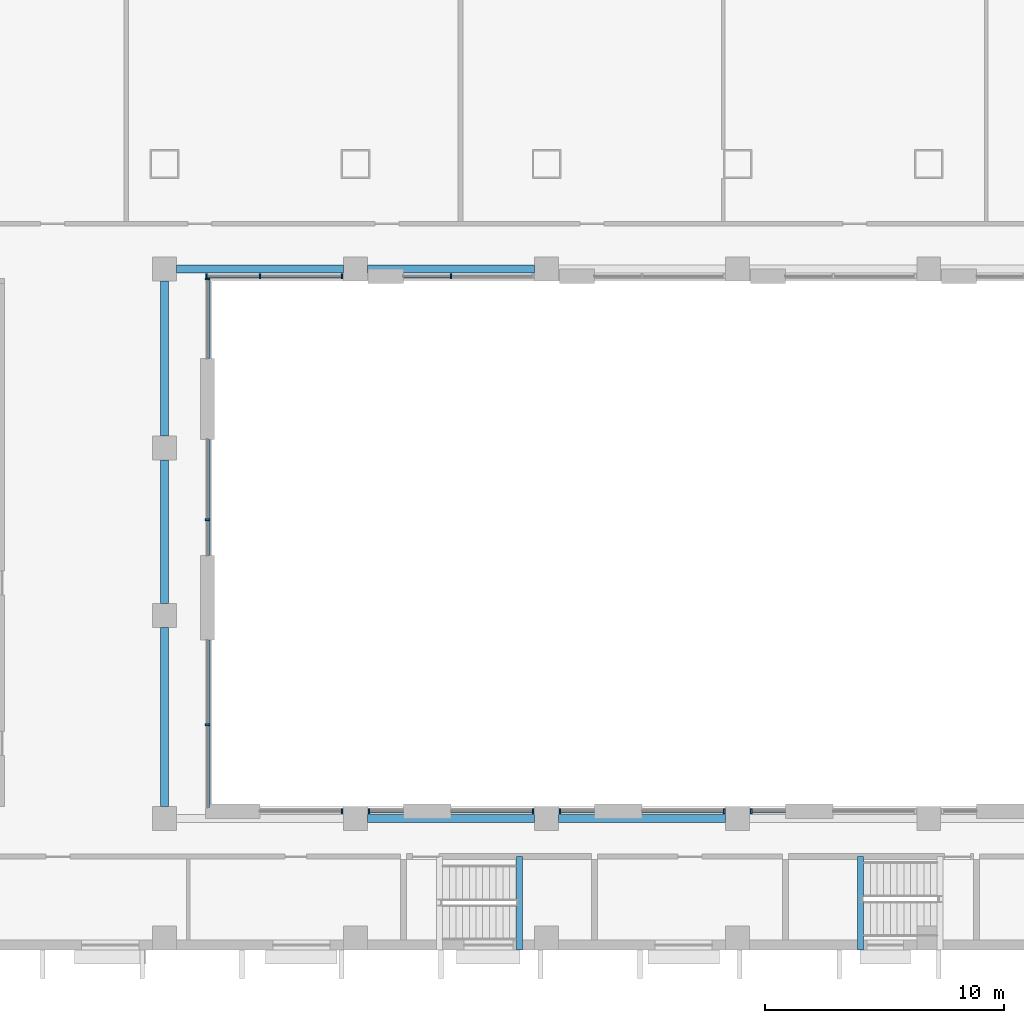
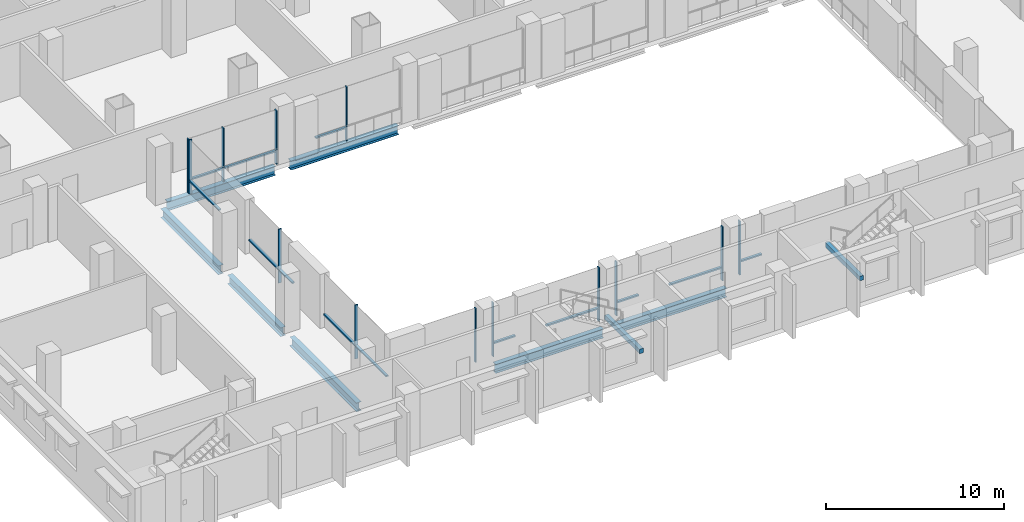
# One storey, part 2 of 25: 26 members, 9 beams, 11 elements without a shape of their own.
"""IFC4 building model written with IfcOpenShell, lengths in metres."""

from ifc_helpers import new_model, si_unit, direction, frame, origin, origin_2d, place, context, subcontext, project, spatial, rectangle, i_section, extrude, material, material_profile, profile_set, type_object, element, aggregate, save


model = new_model("IFC4")

# Units and contexts
model_context = context("Model", 3, precision=1e-05, world=origin(), true_north=direction((0.0, 1.0)))
body_context = subcontext(model_context, "Body", "Model", "MODEL_VIEW")
ifc_project = project(units=[si_unit("LENGTHUNIT", "METRE"), si_unit("AREAUNIT", "SQUARE_METRE"), si_unit("VOLUMEUNIT", "CUBIC_METRE"), si_unit("PLANEANGLEUNIT", "RADIAN"), si_unit("MASSUNIT", "GRAM", prefix="KILO")], contexts=[model_context])

# Site, building, storey
site_placement = place(None, origin())
site = spatial("IfcSite", under=ifc_project, at=site_placement, CompositionType="ELEMENT")
building_placement = place(site_placement, origin())
building = spatial("IfcBuilding", under=site, at=building_placement, Name="Vidyagriha Tower", CompositionType="ELEMENT")
storey_placement = place(building_placement, frame((0.0, 0.0, 18.0)))
storey = spatial("IfcBuildingStorey", under=building, at=storey_placement, Name="L04", CompositionType="ELEMENT", Elevation=18.0)

# Beams
ifc_material_1 = material(Name="Steel ASTM A992 Grade 50", Category="steel")
ifc_material_profile_1 = material_profile(ifc_material_1, i_section(OverallWidth=0.32373046875, OverallDepth=0.612060546875, WebThickness=0.0126953125, FlangeThickness=0.01904296875, at=origin_2d()), Name="W24X104")
ifc_profile_set_1 = profile_set([ifc_material_profile_1], Name="Steel ASTM A992 Grade 50")
beam_type_1 = type_object("IfcBeamType", Name="Atrium edge beam W24X104", PredefinedType="BEAM", material=ifc_profile_set_1)
for number, where, z_axis, x_axis, name in (
    (1, (-13.5, -44.5, -0.60595703125), (1.0, 0.0, 0.0), (0.0, 1.0, 0.0), "st-beam-L04-AT02"),
    (2, (-5.5, -44.5, -0.60595703125), (1.0, 0.0, 0.0), (0.0, 1.0, 0.0), "st-beam-L04-AT03"),
    (3, (-21.5, -21.5, -0.60595703125), (1.0, 0.0, 0.0), (0.0, 1.0, 0.0), "st-beam-L04-AT07"),
    (4, (-13.5, -21.5, -0.60595703125), (1.0, 0.0, 0.0), (0.0, 1.0, 0.0), "st-beam-L04-AT08"),
):
    element("IfcBeam", number, at=place(storey_placement, frame(where, z_axis=z_axis, x_axis=x_axis)), inside=storey, type_object=beam_type_1, Name=name, PredefinedType="BEAM", context=body_context, shape_type="SweptSolid", body=[
        extrude(i_section(OverallWidth=0.32373046875, OverallDepth=0.612060546875, WebThickness=0.0126953125, FlangeThickness=0.01904296875, at=origin_2d()), origin(), (0.0, 0.0, 1.0), 7.0),
    ])
beam_1_placement = place(storey_placement, frame((-22.0, -44.0, -0.60595703125), z_axis=(0.0, 1.0, 0.0), x_axis=(-1.0, 0.0, 0.0)))
element("IfcBeam", 5, at=beam_1_placement, inside=storey, type_object=beam_type_1, Name="st-beam-L04-AT13", PredefinedType="BEAM", context=body_context, shape_type="SweptSolid", body=[
    extrude(i_section(OverallWidth=0.32373046875, OverallDepth=0.612060546875, WebThickness=0.0126953125, FlangeThickness=0.01904296875, at=origin_2d()), origin(), (0.0, 0.0, 1.0), 7.5),
])
beam_2_placement = place(storey_placement, frame((-22.0, -35.5, -0.60595703125), z_axis=(0.0, 1.0, 0.0), x_axis=(-1.0, 0.0, 0.0)))
element("IfcBeam", 6, at=beam_2_placement, inside=storey, type_object=beam_type_1, Name="st-beam-L04-AT14", PredefinedType="BEAM", context=body_context, shape_type="SweptSolid", body=[
    extrude(i_section(OverallWidth=0.32373046875, OverallDepth=0.612060546875, WebThickness=0.0126953125, FlangeThickness=0.01904296875, at=origin_2d()), origin(), (0.0, 0.0, 1.0), 6.0),
])
beam_3_placement = place(storey_placement, frame((-22.0, -28.5, -0.60595703125), z_axis=(0.0, 1.0, 0.0), x_axis=(-1.0, 0.0, 0.0)))
element("IfcBeam", 7, at=beam_3_placement, inside=storey, type_object=beam_type_1, Name="st-beam-L04-AT15", PredefinedType="BEAM", context=body_context, shape_type="SweptSolid", body=[
    extrude(i_section(OverallWidth=0.32373046875, OverallDepth=0.612060546875, WebThickness=0.0126953125, FlangeThickness=0.01904296875, at=origin_2d()), origin(), (0.0, 0.0, 1.0), 6.5),
])

# Curtain wall, member
ifc_material_2 = material(Name="Aluminium and glass curtain wall", Category="aluminium")
curtain_wall_type = type_object("IfcCurtainWallType", Name="Atrium screen curtain wall", PredefinedType="USERDEFINED", material=ifc_material_2)
curtain_wall_1_placement = place(storey_placement, origin())
curtain_wall_1 = element("IfcCurtainWall", 8, at=curtain_wall_1_placement, inside=storey, type_object=curtain_wall_type, Name="CW6 atrium screen", ObjectType="UNITISED", PredefinedType="USERDEFINED")
ifc_material_3 = material(Name="Aluminium black anodised", Category="aluminium")
ifc_material_profile_2 = material_profile(ifc_material_3, rectangle(XDim=0.199951171875, YDim=0.070068359375, at=origin_2d()), Name="Mullion 70x200 black aluminium")
ifc_profile_set_2 = profile_set([ifc_material_profile_2], Name="Aluminium black anodised")
member_type_1 = type_object("IfcMemberType", Name="Mullion 70x200 black aluminium", PredefinedType="MULLION", material=ifc_profile_set_2)
member_1_placement = place(storey_placement, frame((2.56494140625, -44.199951171875, 0.0), z_axis=(0.0, 0.0, 1.0), x_axis=(0.0, -1.0, 0.0)))
member_1 = element("IfcMember", 9, at=member_1_placement, type_object=member_type_1, Name="CW6 mullion 2", PredefinedType="MULLION", context=body_context, shape_type="SweptSolid", body=[
    extrude(rectangle(XDim=0.199951171875, YDim=0.070068359375, at=origin_2d()), origin(), (0.0, 0.0, 1.0), 3.699951171875),
])

curtain_wall_2_placement = place(storey_placement, origin())
curtain_wall_2 = element("IfcCurtainWall", 10, at=curtain_wall_2_placement, inside=storey, type_object=curtain_wall_type, Name="CW6 atrium screen", ObjectType="UNITISED", PredefinedType="USERDEFINED")
member_2_placement = place(storey_placement, frame((1.43505859375, -44.199951171875, 0.0), z_axis=(0.0, 0.0, 1.0), x_axis=(0.0, -1.0, 0.0)))
member_2 = element("IfcMember", 11, at=member_2_placement, type_object=member_type_1, Name="CW6 mullion 1", PredefinedType="MULLION", context=body_context, shape_type="SweptSolid", body=[
    extrude(rectangle(XDim=0.199951171875, YDim=0.070068359375, at=origin_2d()), origin(), (0.0, 0.0, 1.0), 3.699951171875),
])

curtain_wall_3_placement = place(storey_placement, origin())
curtain_wall_3 = element("IfcCurtainWall", 12, at=curtain_wall_3_placement, inside=storey, type_object=curtain_wall_type, Name="CW6 atrium screen", ObjectType="UNITISED", PredefinedType="USERDEFINED")
member_3_placement = place(storey_placement, frame((-5.43505859375, -44.199951171875, 0.0), z_axis=(0.0, 0.0, 1.0), x_axis=(0.0, -1.0, 0.0)))
member_3 = element("IfcMember", 13, at=member_3_placement, type_object=member_type_1, Name="CW6 mullion 2", PredefinedType="MULLION", context=body_context, shape_type="SweptSolid", body=[
    extrude(rectangle(XDim=0.199951171875, YDim=0.070068359375, at=origin_2d()), origin(), (0.0, 0.0, 1.0), 3.699951171875),
])

curtain_wall_4_placement = place(storey_placement, origin())
curtain_wall_4 = element("IfcCurtainWall", 14, at=curtain_wall_4_placement, inside=storey, type_object=curtain_wall_type, Name="CW6 atrium screen", ObjectType="UNITISED", PredefinedType="USERDEFINED")
member_4_placement = place(storey_placement, frame((-6.56494140625, -44.199951171875, 0.0), z_axis=(0.0, 0.0, 1.0), x_axis=(0.0, -1.0, 0.0)))
member_4 = element("IfcMember", 15, at=member_4_placement, type_object=member_type_1, Name="CW6 mullion 1", PredefinedType="MULLION", context=body_context, shape_type="SweptSolid", body=[
    extrude(rectangle(XDim=0.199951171875, YDim=0.070068359375, at=origin_2d()), origin(), (0.0, 0.0, 1.0), 3.699951171875),
])

curtain_wall_5_placement = place(storey_placement, origin())
curtain_wall_5 = element("IfcCurtainWall", 16, at=curtain_wall_5_placement, inside=storey, type_object=curtain_wall_type, Name="CW6 atrium screen", ObjectType="UNITISED", PredefinedType="USERDEFINED")
member_5_placement = place(storey_placement, frame((-13.43505859375, -44.199951171875, 0.0), z_axis=(0.0, 0.0, 1.0), x_axis=(0.0, -1.0, 0.0)))
member_5 = element("IfcMember", 17, at=member_5_placement, type_object=member_type_1, Name="CW6 mullion 2", PredefinedType="MULLION", context=body_context, shape_type="SweptSolid", body=[
    extrude(rectangle(XDim=0.199951171875, YDim=0.070068359375, at=origin_2d()), origin(), (0.0, 0.0, 1.0), 3.699951171875),
])

curtain_wall_6_placement = place(storey_placement, origin())
curtain_wall_6 = element("IfcCurtainWall", 18, at=curtain_wall_6_placement, inside=storey, type_object=curtain_wall_type, Name="CW6 atrium screen", ObjectType="UNITISED", PredefinedType="USERDEFINED")
member_6_placement = place(storey_placement, frame((-14.56494140625, -44.199951171875, 0.0), z_axis=(0.0, 0.0, 1.0), x_axis=(0.0, -1.0, 0.0)))
member_6 = element("IfcMember", 19, at=member_6_placement, type_object=member_type_1, Name="CW6 mullion 1", PredefinedType="MULLION", context=body_context, shape_type="SweptSolid", body=[
    extrude(rectangle(XDim=0.199951171875, YDim=0.070068359375, at=origin_2d()), origin(), (0.0, 0.0, 1.0), 3.699951171875),
])
aggregate(curtain_wall_6, [member_6])

curtain_wall_7_placement = place(storey_placement, origin())
curtain_wall_7 = element("IfcCurtainWall", 20, at=curtain_wall_7_placement, inside=storey, type_object=curtain_wall_type, Name="CW6 atrium screen", ObjectType="UNITISED", PredefinedType="USERDEFINED")
member_7_placement = place(storey_placement, frame((-20.199951171875, -40.580078125, 0.0), z_axis=(0.0, 0.0, 1.0), x_axis=(-1.0, 0.0, 0.0)))
member_7 = element("IfcMember", 21, at=member_7_placement, type_object=member_type_1, Name="CW6 mullion 2", PredefinedType="MULLION", context=body_context, shape_type="SweptSolid", body=[
    extrude(rectangle(XDim=0.199951171875, YDim=0.070068359375, at=origin_2d()), origin(), (0.0, 0.0, 1.0), 3.699951171875),
])

curtain_wall_8_placement = place(storey_placement, origin())
curtain_wall_8 = element("IfcCurtainWall", 22, at=curtain_wall_8_placement, inside=storey, type_object=curtain_wall_type, Name="CW6 atrium screen", ObjectType="UNITISED", PredefinedType="USERDEFINED")
member_8_placement = place(storey_placement, frame((-20.199951171875, -32.0, 0.0), z_axis=(0.0, 0.0, 1.0), x_axis=(-1.0, 0.0, 0.0)))
member_8 = element("IfcMember", 23, at=member_8_placement, type_object=member_type_1, Name="CW6 mullion 2", PredefinedType="MULLION", context=body_context, shape_type="SweptSolid", body=[
    extrude(rectangle(XDim=0.199951171875, YDim=0.070068359375, at=origin_2d()), origin(), (0.0, 0.0, 1.0), 3.699951171875),
])

curtain_wall_9_placement = place(storey_placement, origin())
curtain_wall_9 = element("IfcCurtainWall", 24, at=curtain_wall_9_placement, inside=storey, type_object=curtain_wall_type, Name="CW6 atrium screen", ObjectType="UNITISED", PredefinedType="USERDEFINED")
member_9_placement = place(storey_placement, frame((-20.199951171875, -21.9150390625, 0.0), z_axis=(0.0, 0.0, 1.0), x_axis=(-1.0, 0.0, 0.0)))
member_9 = element("IfcMember", 25, at=member_9_placement, type_object=member_type_1, Name="CW6 mullion 2", PredefinedType="MULLION", context=body_context, shape_type="SweptSolid", body=[
    extrude(rectangle(XDim=0.199951171875, YDim=0.070068359375, at=origin_2d()), origin(), (0.0, 0.0, 1.0), 3.699951171875),
])

# Curtain wall, members
curtain_wall_10_placement = place(storey_placement, origin())
curtain_wall_10 = element("IfcCurtainWall", 26, at=curtain_wall_10_placement, inside=storey, type_object=curtain_wall_type, Name="CW6 atrium screen", ObjectType="UNITISED", PredefinedType="USERDEFINED")
member_10_placement = place(storey_placement, frame((-20.2451171875, -21.800048828125, 0.0), z_axis=(0.0, 0.0, 1.0), x_axis=(0.0, 1.0, 0.0)))
member_10 = element("IfcMember", 27, at=member_10_placement, type_object=member_type_1, Name="CW6 mullion 1", PredefinedType="MULLION", context=body_context, shape_type="SweptSolid", body=[
    extrude(rectangle(XDim=0.199951171875, YDim=0.070068359375, at=origin_2d()), origin(), (0.0, 0.0, 1.0), 3.699951171875),
])
member_11_placement = place(storey_placement, frame((-18.0, -21.800048828125, 0.0), z_axis=(0.0, 0.0, 1.0), x_axis=(0.0, 1.0, 0.0)))
member_11 = element("IfcMember", 28, at=member_11_placement, type_object=member_type_1, Name="CW6 mullion 2", PredefinedType="MULLION", context=body_context, shape_type="SweptSolid", body=[
    extrude(rectangle(XDim=0.199951171875, YDim=0.070068359375, at=origin_2d()), origin(), (0.0, 0.0, 1.0), 3.699951171875),
])
member_12_placement = place(storey_placement, frame((-14.56494140625, -21.800048828125, 0.0), z_axis=(0.0, 0.0, 1.0), x_axis=(0.0, 1.0, 0.0)))
member_12 = element("IfcMember", 29, at=member_12_placement, type_object=member_type_1, Name="CW6 mullion 3", PredefinedType="MULLION", context=body_context, shape_type="SweptSolid", body=[
    extrude(rectangle(XDim=0.199951171875, YDim=0.070068359375, at=origin_2d()), origin(), (0.0, 0.0, 1.0), 3.699951171875),
])

# Curtain wall, member
curtain_wall_11_placement = place(storey_placement, origin())
curtain_wall_11 = element("IfcCurtainWall", 30, at=curtain_wall_11_placement, inside=storey, type_object=curtain_wall_type, Name="CW6 atrium screen", ObjectType="UNITISED", PredefinedType="USERDEFINED")
member_13_placement = place(storey_placement, frame((-10.0, -21.800048828125, 0.0), z_axis=(0.0, 0.0, 1.0), x_axis=(0.0, 1.0, 0.0)))
member_13 = element("IfcMember", 31, at=member_13_placement, type_object=member_type_1, Name="CW6 mullion 2", PredefinedType="MULLION", context=body_context, shape_type="SweptSolid", body=[
    extrude(rectangle(XDim=0.199951171875, YDim=0.070068359375, at=origin_2d()), origin(), (0.0, 0.0, 1.0), 3.699951171875),
])

# Beams
ifc_material_4 = material(Name="Concrete C40/50", Category="concrete")
ifc_material_profile_3 = material_profile(ifc_material_4, rectangle(XDim=0.25, YDim=0.300048828125, at=origin_2d()), Name="Stair landing bearing beam 250x300")
ifc_profile_set_3 = profile_set([ifc_material_profile_3], Name="Concrete C40/50")
beam_type_2 = type_object("IfcBeamType", Name="Stair landing bearing beam 250x300", PredefinedType="BEAM", material=ifc_profile_set_3)
for number, where, z_axis, x_axis, name in (
    (32, (-7.139892578125, -50.0, 1.64990234375), (0.0, 1.0, 0.0), (-1.0, 0.0, 0.0), "PS3 landing bearing beam L04"),
    (33, (7.139892578125, -50.0, 1.64990234375), (0.0, 1.0, 0.0), (-1.0, 0.0, 0.0), "PS4 landing bearing beam L04"),
):
    element("IfcBeam", number, at=place(storey_placement, frame(where, z_axis=z_axis, x_axis=x_axis)), inside=storey, type_object=beam_type_2, Name=name, PredefinedType="BEAM", context=body_context, shape_type="SweptSolid", body=[
        extrude(rectangle(XDim=0.25, YDim=0.300048828125, at=origin_2d()), origin(), (0.0, 0.0, 1.0), 3.89990234375),
    ])

# Member
ifc_material_5 = material(Name="Aluminium black anodised", Category="aluminium")
ifc_material_profile_4 = material_profile(ifc_material_5, rectangle(XDim=0.159912109375, YDim=0.10009765625, at=origin_2d()), Name="Transom 100x160 black aluminium")
ifc_profile_set_4 = profile_set([ifc_material_profile_4], Name="Aluminium black anodised")
member_type_2 = type_object("IfcMemberType", Name="Transom 100x160 black aluminium", PredefinedType="USERDEFINED", material=ifc_profile_set_4)
member_14_placement = place(storey_placement, frame((4.0, -44.199951171875, 0.89990234375), z_axis=(-1.0, 0.0, 0.0), x_axis=(0.0, -1.0, 0.0)))
member_14 = element("IfcMember", 34, at=member_14_placement, type_object=member_type_2, Name="CW6 transom 1.1", ObjectType="TRANSOM", PredefinedType="USERDEFINED", context=body_context, shape_type="SweptSolid", body=[
    extrude(rectangle(XDim=0.159912109375, YDim=0.10009765625, at=origin_2d()), origin(), (0.0, 0.0, 1.0), 1.39990234375),
])

aggregate(curtain_wall_1, [member_1, member_14])

member_15_placement = place(storey_placement, frame((1.39990234375, -44.199951171875, 0.89990234375), z_axis=(-1.0, 0.0, 0.0), x_axis=(0.0, -1.0, 0.0)))
member_15 = element("IfcMember", 35, at=member_15_placement, type_object=member_type_2, Name="CW6 transom 1.1", ObjectType="TRANSOM", PredefinedType="USERDEFINED", context=body_context, shape_type="SweptSolid", body=[
    extrude(rectangle(XDim=0.159912109375, YDim=0.10009765625, at=origin_2d()), origin(), (0.0, 0.0, 1.0), 3.39990234375),
])

aggregate(curtain_wall_2, [member_2, member_15])

member_16_placement = place(storey_placement, frame((-4.0, -44.199951171875, 0.89990234375), z_axis=(-1.0, 0.0, 0.0), x_axis=(0.0, -1.0, 0.0)))
member_16 = element("IfcMember", 36, at=member_16_placement, type_object=member_type_2, Name="CW6 transom 1.1", ObjectType="TRANSOM", PredefinedType="USERDEFINED", context=body_context, shape_type="SweptSolid", body=[
    extrude(rectangle(XDim=0.159912109375, YDim=0.10009765625, at=origin_2d()), origin(), (0.0, 0.0, 1.0), 1.39990234375),
])

aggregate(curtain_wall_3, [member_3, member_16])

member_17_placement = place(storey_placement, frame((-6.60009765625, -44.199951171875, 0.89990234375), z_axis=(-1.0, 0.0, 0.0), x_axis=(0.0, -1.0, 0.0)))
member_17 = element("IfcMember", 37, at=member_17_placement, type_object=member_type_2, Name="CW6 transom 1.1", ObjectType="TRANSOM", PredefinedType="USERDEFINED", context=body_context, shape_type="SweptSolid", body=[
    extrude(rectangle(XDim=0.159912109375, YDim=0.10009765625, at=origin_2d()), origin(), (0.0, 0.0, 1.0), 3.39990234375),
])

aggregate(curtain_wall_4, [member_4, member_17])

member_18_placement = place(storey_placement, frame((-12.0, -44.199951171875, 0.89990234375), z_axis=(-1.0, 0.0, 0.0), x_axis=(0.0, -1.0, 0.0)))
member_18 = element("IfcMember", 38, at=member_18_placement, type_object=member_type_2, Name="CW6 transom 1.1", ObjectType="TRANSOM", PredefinedType="USERDEFINED", context=body_context, shape_type="SweptSolid", body=[
    extrude(rectangle(XDim=0.159912109375, YDim=0.10009765625, at=origin_2d()), origin(), (0.0, 0.0, 1.0), 1.39990234375),
])

aggregate(curtain_wall_5, [member_5, member_18])

member_19_placement = place(storey_placement, frame((-20.199951171875, -44.050048828125, 0.89990234375), z_axis=(0.0, 1.0, 0.0), x_axis=(-1.0, 0.0, 0.0)))
member_19 = element("IfcMember", 39, at=member_19_placement, type_object=member_type_2, Name="CW6 transom 1.1", ObjectType="TRANSOM", PredefinedType="USERDEFINED", context=body_context, shape_type="SweptSolid", body=[
    extrude(rectangle(XDim=0.159912109375, YDim=0.10009765625, at=origin_2d()), origin(), (0.0, 0.0, 1.0), 3.43505859375),
])

member_20_placement = place(storey_placement, frame((-20.199951171875, -40.544921875, 0.89990234375), z_axis=(0.0, 1.0, 0.0), x_axis=(-1.0, 0.0, 0.0)))
member_20 = element("IfcMember", 40, at=member_20_placement, type_object=member_type_2, Name="CW6 transom 2.1", ObjectType="TRANSOM", PredefinedType="USERDEFINED", context=body_context, shape_type="SweptSolid", body=[
    extrude(rectangle(XDim=0.159912109375, YDim=0.10009765625, at=origin_2d()), origin(), (0.0, 0.0, 1.0), 3.5048828125),
])

aggregate(curtain_wall_7, [member_7, member_19, member_20])

member_21_placement = place(storey_placement, frame((-20.199951171875, -33.5, 0.89990234375), z_axis=(0.0, 1.0, 0.0), x_axis=(-1.0, 0.0, 0.0)))
member_21 = element("IfcMember", 41, at=member_21_placement, type_object=member_type_2, Name="CW6 transom 1.1", ObjectType="TRANSOM", PredefinedType="USERDEFINED", context=body_context, shape_type="SweptSolid", body=[
    extrude(rectangle(XDim=0.159912109375, YDim=0.10009765625, at=origin_2d()), origin(), (0.0, 0.0, 1.0), 1.465087890625),
])

member_22_placement = place(storey_placement, frame((-20.199951171875, -31.965087890625, 0.89990234375), z_axis=(0.0, 1.0, 0.0), x_axis=(-1.0, 0.0, 0.0)))
member_22 = element("IfcMember", 42, at=member_22_placement, type_object=member_type_2, Name="CW6 transom 2.1", ObjectType="TRANSOM", PredefinedType="USERDEFINED", context=body_context, shape_type="SweptSolid", body=[
    extrude(rectangle(XDim=0.159912109375, YDim=0.10009765625, at=origin_2d()), origin(), (0.0, 0.0, 1.0), 3.33837890625),
])

aggregate(curtain_wall_8, [member_8, member_21, member_22])

member_23_placement = place(storey_placement, frame((-20.199951171875, -25.25341796875, 0.89990234375), z_axis=(0.0, 1.0, 0.0), x_axis=(-1.0, 0.0, 0.0)))
member_23 = element("IfcMember", 43, at=member_23_placement, type_object=member_type_2, Name="CW6 transom 1.1", ObjectType="TRANSOM", PredefinedType="USERDEFINED", context=body_context, shape_type="SweptSolid", body=[
    extrude(rectangle(XDim=0.159912109375, YDim=0.10009765625, at=origin_2d()), origin(), (0.0, 0.0, 1.0), 3.303466796875),
])

aggregate(curtain_wall_9, [member_9, member_23])

member_24_placement = place(storey_placement, frame((-20.2099609375, -21.800048828125, 0.89990234375), z_axis=(1.0, 0.0, 0.0), x_axis=(0.0, 1.0, 0.0)))
member_24 = element("IfcMember", 44, at=member_24_placement, type_object=member_type_2, Name="CW6 transom 1.1", ObjectType="TRANSOM", PredefinedType="USERDEFINED", context=body_context, shape_type="SweptSolid", body=[
    extrude(rectangle(XDim=0.159912109375, YDim=0.10009765625, at=origin_2d()), origin(), (0.0, 0.0, 1.0), 2.175048828125),
])

member_25_placement = place(storey_placement, frame((-17.965087890625, -21.800048828125, 0.89990234375), z_axis=(1.0, 0.0, 0.0), x_axis=(0.0, 1.0, 0.0)))
member_25 = element("IfcMember", 45, at=member_25_placement, type_object=member_type_2, Name="CW6 transom 2.1", ObjectType="TRANSOM", PredefinedType="USERDEFINED", context=body_context, shape_type="SweptSolid", body=[
    extrude(rectangle(XDim=0.159912109375, YDim=0.10009765625, at=origin_2d()), origin(), (0.0, 0.0, 1.0), 3.364990234375),
])

aggregate(curtain_wall_10, [member_10, member_11, member_12, member_24, member_25])

member_26_placement = place(storey_placement, frame((-12.0, -21.800048828125, 0.89990234375), z_axis=(1.0, 0.0, 0.0), x_axis=(0.0, 1.0, 0.0)))
member_26 = element("IfcMember", 46, at=member_26_placement, type_object=member_type_2, Name="CW6 transom 1.1", ObjectType="TRANSOM", PredefinedType="USERDEFINED", context=body_context, shape_type="SweptSolid", body=[
    extrude(rectangle(XDim=0.159912109375, YDim=0.10009765625, at=origin_2d()), origin(), (0.0, 0.0, 1.0), 1.965087890625),
])

aggregate(curtain_wall_11, [member_13, member_26])

save(model, "model.ifc")
